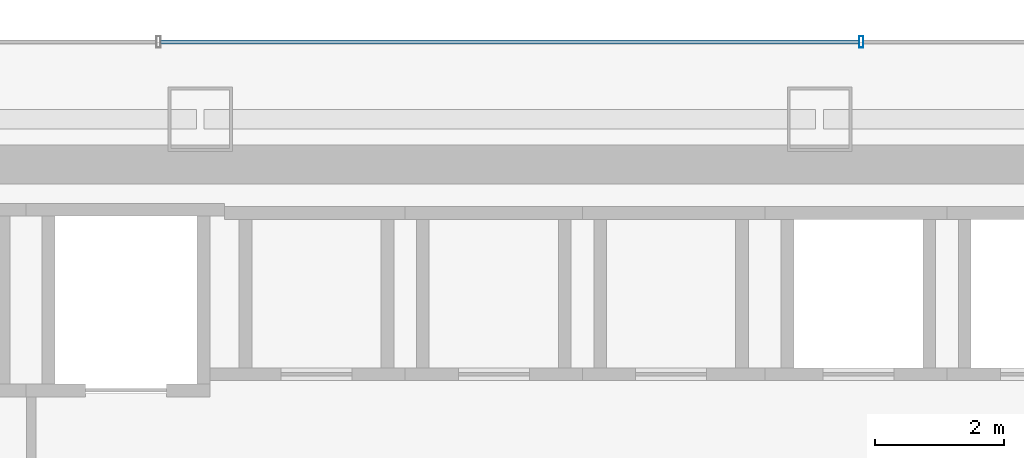
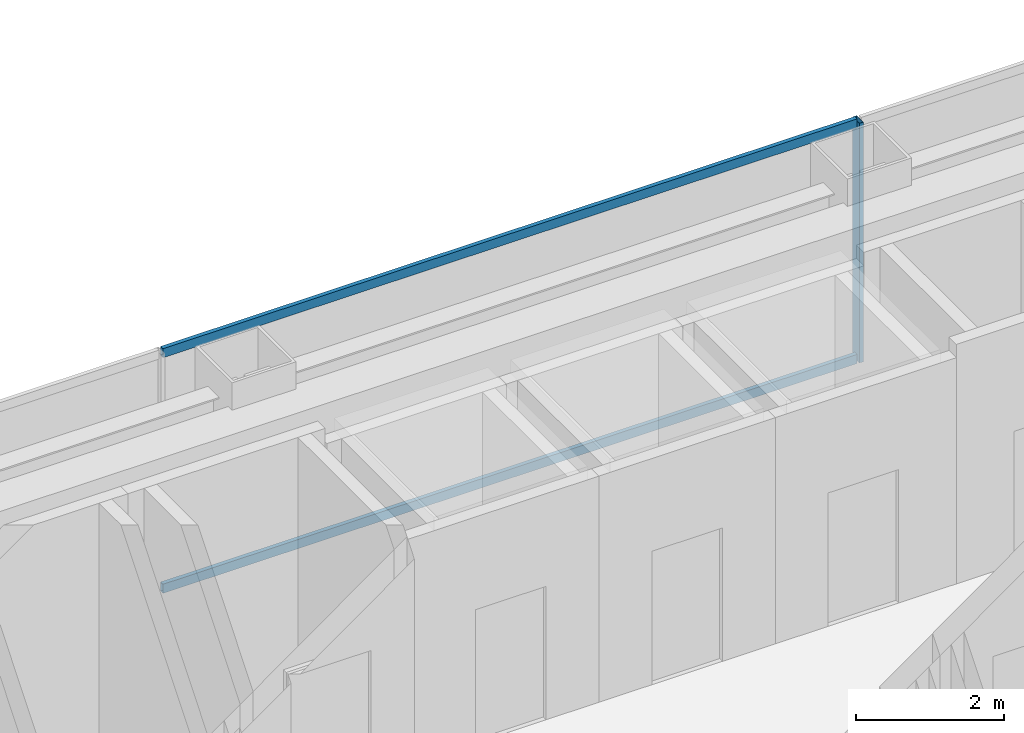
# One storey, part 23 of 36: 3 members, 1 element without a shape of its own.
"""IFC4 building model written with IfcOpenShell, lengths in metres."""

from ifc_helpers import new_model, si_unit, direction, frame, origin, origin_2d, place, context, subcontext, project, spatial, hollow_rectangle, extrude, material, material_profile, profile_set, type_object, element, aggregate, save


model = new_model("IFC4")

# Units and contexts
model_context = context("Model", 3, precision=1e-05, world=origin(), true_north=direction((0.0, 1.0)))
body_context = subcontext(model_context, "Body", "Model", "MODEL_VIEW")
ifc_project = project(units=[si_unit("LENGTHUNIT", "METRE"), si_unit("AREAUNIT", "SQUARE_METRE"), si_unit("VOLUMEUNIT", "CUBIC_METRE"), si_unit("PLANEANGLEUNIT", "RADIAN"), si_unit("MASSUNIT", "GRAM", prefix="KILO")], contexts=[model_context])

# Site, building, storey
site_placement = place(None, origin())
site = spatial("IfcSite", under=ifc_project, at=site_placement, CompositionType="ELEMENT")
building_placement = place(site_placement, origin())
building = spatial("IfcBuilding", under=site, at=building_placement, Name="Saevonmaru Cultural Tower", CompositionType="ELEMENT")
storey_placement = place(building_placement, frame((0.0, 0.0, 119.199951171875)))
storey = spatial("IfcBuildingStorey", under=building, at=storey_placement, Name="L25", CompositionType="ELEMENT", Elevation=119.199951171875)

# Curtain wall, members
ifc_material = material(Name="Satin Bronze Anodised Aluminium", Category="aluminium")
curtain_wall_type = type_object("IfcCurtainWallType", Name="CW-TYP-A", PredefinedType="NOTDEFINED", material=ifc_material)
curtain_wall_placement = place(storey_placement, origin())
curtain_wall = element("IfcCurtainWall", 1, at=curtain_wall_placement, inside=storey, type_object=curtain_wall_type, Name="L25 North Spine Unitised Curtain Wall E10B", PredefinedType="NOTDEFINED")
ifc_material_profile_1 = material_profile(ifc_material, hollow_rectangle(XDim=0.06494140625, YDim=0.179931640625, WallThickness=0.00390625, at=origin_2d()), Name="ALU-MULL-180x65x4")
ifc_profile_set_1 = profile_set([ifc_material_profile_1], Name="Satin Bronze Anodised Aluminium")
member_type_1 = type_object("IfcMemberType", Name="ML-CW-180x65", PredefinedType="MULLION", material=ifc_profile_set_1)
member_1_placement = place(storey_placement, frame((35.44677734375, 56.0, 0.0), z_axis=(0.0, 0.0, 1.0), x_axis=(-1.0, 0.0, 0.0)))
member_1 = element("IfcMember", 2, at=member_1_placement, type_object=member_type_1, Name="CW-TW-L25-E10B mullion 2", PredefinedType="MULLION", context=body_context, shape_type="SweptSolid", body=[
    extrude(hollow_rectangle(XDim=0.06494140625, YDim=0.179931640625, WallThickness=0.00390625, at=origin_2d()), origin(), (0.0, 0.0, 1.0), 3.949951171875),
])
ifc_material_profile_2 = material_profile(ifc_material, hollow_rectangle(XDim=0.06494140625, YDim=0.14990234375, WallThickness=0.00390625, at=origin_2d()), Name="ALU-TRAN-150x65x4")
ifc_profile_set_2 = profile_set([ifc_material_profile_2], Name="Satin Bronze Anodised Aluminium")
member_type_2 = type_object("IfcMemberType", Name="TR-CW-150x65", PredefinedType="USERDEFINED", material=ifc_profile_set_2)
member_2_placement = place(storey_placement, frame((35.4140625, 56.0, 0.032470703125), z_axis=(-1.0, 0.0, 0.0), x_axis=(0.0, -1.0, 0.0)))
member_2 = element("IfcMember", 3, at=member_2_placement, type_object=member_type_2, Name="CW-TW-L25-E10B transom 2.1", ObjectType="TRANSOM", PredefinedType="USERDEFINED", context=body_context, shape_type="SweptSolid", body=[
    extrude(hollow_rectangle(XDim=0.06494140625, YDim=0.14990234375, WallThickness=0.00390625, at=origin_2d()), origin(), (0.0, 0.0, 1.0), 10.828125),
])
member_3_placement = place(storey_placement, frame((35.4140625, 56.0, 3.91748046875), z_axis=(-1.0, 0.0, 0.0), x_axis=(0.0, -1.0, 0.0)))
member_3 = element("IfcMember", 4, at=member_3_placement, type_object=member_type_2, Name="CW-TW-L25-E10B transom 2.2", ObjectType="TRANSOM", PredefinedType="USERDEFINED", context=body_context, shape_type="SweptSolid", body=[
    extrude(hollow_rectangle(XDim=0.06494140625, YDim=0.14990234375, WallThickness=0.00390625, at=origin_2d()), origin(), (0.0, 0.0, 1.0), 10.828125),
])
aggregate(curtain_wall, [member_1, member_2, member_3])

save(model, "model.ifc")
